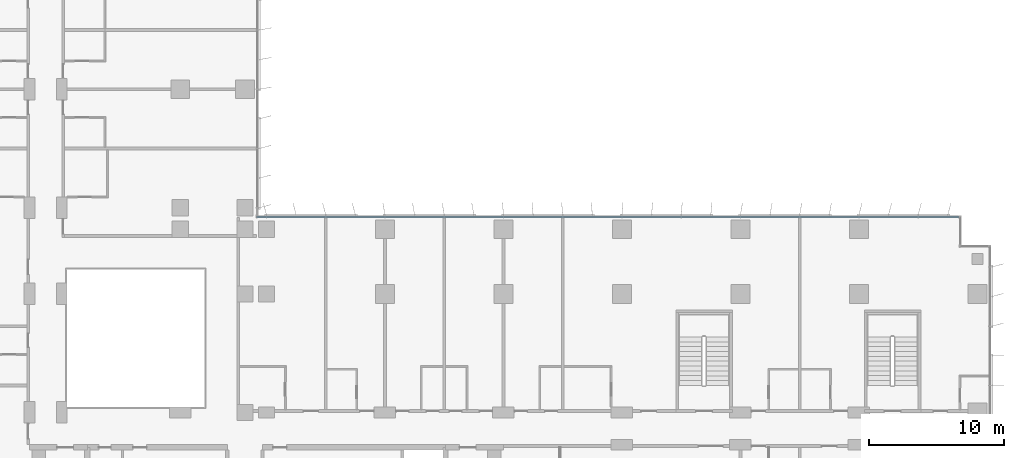
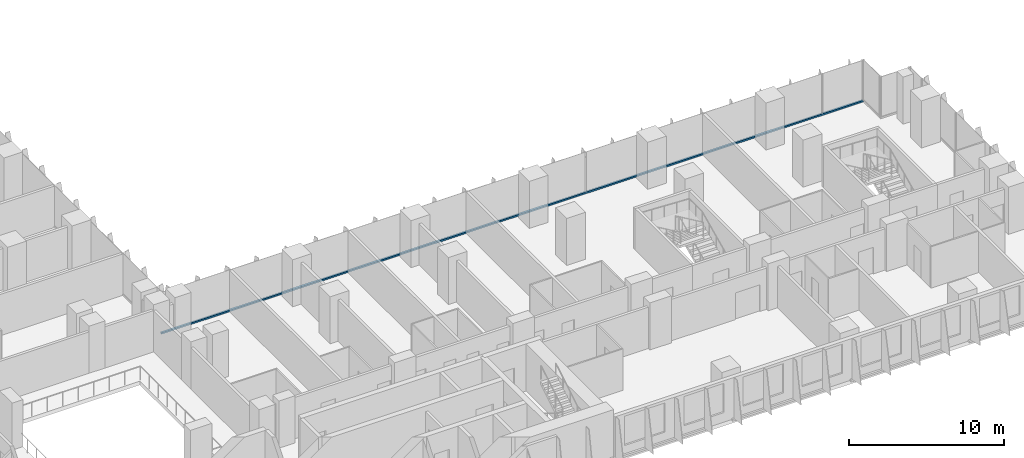
# One storey, part 3 of 23: 1 member, 1 element without a shape of its own.
"""IFC4 building model written with IfcOpenShell, lengths in metres."""

from ifc_helpers import new_model, si_unit, direction, frame, origin, origin_2d, place, context, subcontext, project, spatial, rectangle, extrude, material, material_profile, profile_set, type_object, element, aggregate, save


model = new_model("IFC4")

# Units and contexts
model_context = context("Model", 3, precision=1e-05, world=origin(), true_north=direction((0.0, 1.0)))
body_context = subcontext(model_context, "Body", "Model", "MODEL_VIEW")
ifc_project = project(units=[si_unit("LENGTHUNIT", "METRE"), si_unit("AREAUNIT", "SQUARE_METRE"), si_unit("VOLUMEUNIT", "CUBIC_METRE"), si_unit("PLANEANGLEUNIT", "RADIAN"), si_unit("MASSUNIT", "GRAM", prefix="KILO")], contexts=[model_context])

# Site, building, storey
site_placement = place(None, origin())
site = spatial("IfcSite", under=ifc_project, at=site_placement, CompositionType="ELEMENT")
building_placement = place(site_placement, origin())
building = spatial("IfcBuilding", under=site, at=building_placement, Name="Kemantara Hotel Tower", CompositionType="ELEMENT")
storey_placement = place(building_placement, frame((0.0, 0.0, 67.300048828125)))
storey = spatial("IfcBuildingStorey", under=building, at=storey_placement, Name="L15", CompositionType="ELEMENT", Elevation=67.300048828125)

# Curtain wall, member
ifc_material_1 = material(Name="Low-E tinted double insulated glass 36 mm", Category="glass")
curtain_wall_type = type_object("IfcCurtainWallType", Name="TOWER CURTAIN WALL, FRONT FACES", PredefinedType="USERDEFINED", material=ifc_material_1)
curtain_wall_placement = place(storey_placement, origin())
curtain_wall = element("IfcCurtainWall", 1, at=curtain_wall_placement, inside=storey, type_object=curtain_wall_type, Name="CW4 L15 T1-R07-1", ObjectType="TOWER CURTAIN WALL, FRONT FACES", PredefinedType="USERDEFINED")
ifc_material_2 = material(Name="Aluminium 6063-T6 bronze anodised", Category="aluminium")
ifc_material_profile = material_profile(ifc_material_2, rectangle(XDim=0.14990234375, YDim=0.1201171875, at=origin_2d()), Name="TOWER CURTAIN WALL, FRONT FACES TRANSOM")
ifc_profile_set = profile_set([ifc_material_profile], Name="Aluminium 6063-T6 bronze anodised")
member_type = type_object("IfcMemberType", Name="TOWER CURTAIN WALL, FRONT FACES TRANSOM", PredefinedType="USERDEFINED", material=ifc_profile_set)
member_placement = place(storey_placement, frame((78.85009765625, 26.72509765625, 0.06005859375), z_axis=(-1.0, 0.0, 0.0), x_axis=(0.0, -1.0, 0.0)))
member = element("IfcMember", 2, at=member_placement, type_object=member_type, Name="CW4 sill transom T1-R07-1", ObjectType="TRANSOM", PredefinedType="USERDEFINED", context=body_context, shape_type="SweptSolid", body=[
    extrude(rectangle(XDim=0.14990234375, YDim=0.1201171875, at=origin_2d()), origin(), (0.0, 0.0, 1.0), 52.2001953125),
])
aggregate(curtain_wall, [member])

save(model, "model.ifc")
